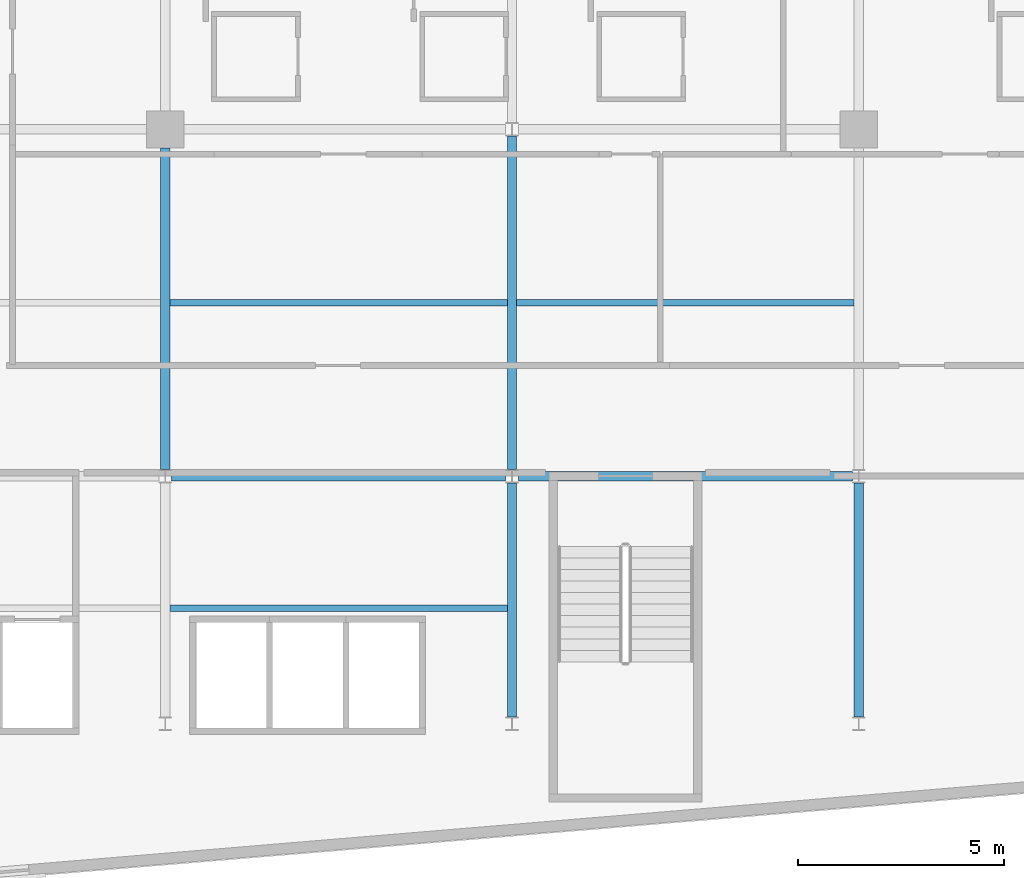
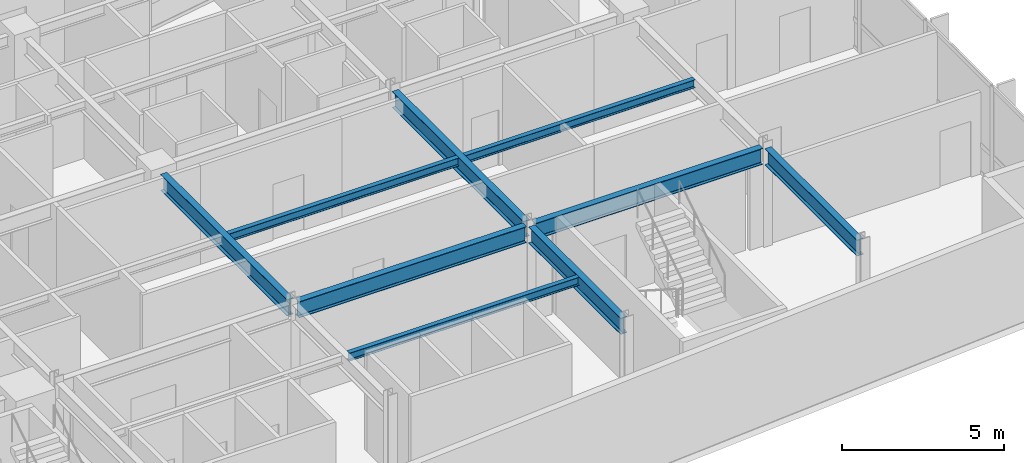
# One storey, part 4 of 22: 9 beams.
"""IFC4 building model written with IfcOpenShell, lengths in metres."""

from ifc_helpers import new_model, si_unit, direction, frame, origin, origin_2d, place, context, subcontext, project, spatial, i_section, extrude, material, material_profile, profile_set, type_object, element, save


model = new_model("IFC4")

# Units and contexts
model_context = context("Model", 3, precision=1e-05, world=origin(), true_north=direction((0.0, 1.0)))
body_context = subcontext(model_context, "Body", "Model", "MODEL_VIEW")
ifc_project = project(units=[si_unit("LENGTHUNIT", "METRE"), si_unit("AREAUNIT", "SQUARE_METRE"), si_unit("VOLUMEUNIT", "CUBIC_METRE"), si_unit("PLANEANGLEUNIT", "RADIAN"), si_unit("MASSUNIT", "GRAM", prefix="KILO")], contexts=[model_context])

# Site, building, storey
site_placement = place(None, origin())
site = spatial("IfcSite", under=ifc_project, at=site_placement, CompositionType="ELEMENT")
building_placement = place(site_placement, origin())
building = spatial("IfcBuilding", under=site, at=building_placement, Name="Varnakote Quay Hospital", CompositionType="ELEMENT")
storey_placement = place(building_placement, frame((0.0, 0.0, 65.949951171875)))
storey = spatial("IfcBuildingStorey", under=building, at=storey_placement, Name="L16", CompositionType="ELEMENT", Elevation=65.949951171875)

# Beams
ifc_material_1 = material(Name="Structural steel AS/NZS 3679.1 Grade 350 L0 (fy 340 MPa)", Category="steel")
ifc_material_profile_1 = material_profile(ifc_material_1, i_section(OverallWidth=0.22900390625, OverallDepth=0.612060546875, WebThickness=0.011962890625, FlangeThickness=0.01953125, FilletRadius=0.013916015625, at=origin_2d()), Name="610UB125")
ifc_profile_set_1 = profile_set([ifc_material_profile_1], Name="Structural steel AS/NZS 3679.1 Grade 350 L0 (fy 340 MPa)")
beam_type_1 = type_object("IfcBeamType", Name="BM-STL-610UB125", PredefinedType="BEAM", material=ifc_profile_set_1)
for number, where, z_axis, x_axis, name in (
    (1, (33.755615234375, 12.0, 3.404052734375), (1.0, 0.0, 0.0), (0.0, 1.0, 0.0), "L16 Primary Floor Beam"),
    (2, (42.155517578125, 12.0, 3.404052734375), (1.0, 0.0, 0.0), (0.0, 1.0, 0.0), "L16 Primary Floor Beam"),
):
    element("IfcBeam", number, at=place(storey_placement, frame(where, z_axis=z_axis, x_axis=x_axis)), inside=storey, type_object=beam_type_1, Name=name, PredefinedType="BEAM", context=body_context, shape_type="SweptSolid", body=[
        extrude(i_section(OverallWidth=0.22900390625, OverallDepth=0.612060546875, WebThickness=0.011962890625, FlangeThickness=0.01953125, FilletRadius=0.013916015625, at=origin_2d()), origin(), (0.0, 0.0, 1.0), 8.0888671875),
    ])
beam_1_placement = place(storey_placement, frame((33.60009765625, 12.16357421875, 3.404052734375), z_axis=(0.0, 1.0, 0.0), x_axis=(-1.0, 0.0, 0.0)))
element("IfcBeam", 3, at=beam_1_placement, inside=storey, type_object=beam_type_1, Name="L16 Primary Tie Beam", PredefinedType="BEAM", context=body_context, shape_type="SweptSolid", body=[
    extrude(i_section(OverallWidth=0.22900390625, OverallDepth=0.612060546875, WebThickness=0.011962890625, FlangeThickness=0.01953125, FilletRadius=0.013916015625, at=origin_2d()), origin(), (0.0, 0.0, 1.0), 7.786376953125),
])
beam_2_placement = place(storey_placement, frame((42.0, 6.16357421875, 3.404052734375), z_axis=(0.0, 1.0, 0.0), x_axis=(-1.0, 0.0, 0.0)))
element("IfcBeam", 4, at=beam_2_placement, inside=storey, type_object=beam_type_1, Name="L16 Primary Tie Beam", PredefinedType="BEAM", context=body_context, shape_type="SweptSolid", body=[
    extrude(i_section(OverallWidth=0.22900390625, OverallDepth=0.612060546875, WebThickness=0.011962890625, FlangeThickness=0.01953125, FilletRadius=0.013916015625, at=origin_2d()), origin(), (0.0, 0.0, 1.0), 5.6728515625),
])
beam_3_placement = place(storey_placement, frame((42.0, 12.16357421875, 3.404052734375), z_axis=(0.0, 1.0, 0.0), x_axis=(-1.0, 0.0, 0.0)))
element("IfcBeam", 5, at=beam_3_placement, inside=storey, type_object=beam_type_1, Name="L16 Primary Tie Beam", PredefinedType="BEAM", context=body_context, shape_type="SweptSolid", body=[
    extrude(i_section(OverallWidth=0.22900390625, OverallDepth=0.612060546875, WebThickness=0.011962890625, FlangeThickness=0.01953125, FilletRadius=0.013916015625, at=origin_2d()), origin(), (0.0, 0.0, 1.0), 8.072998046875),
])
beam_4_placement = place(storey_placement, frame((50.39990234375, 6.16357421875, 3.404052734375), z_axis=(0.0, 1.0, 0.0), x_axis=(-1.0, 0.0, 0.0)))
element("IfcBeam", 6, at=beam_4_placement, inside=storey, type_object=beam_type_1, Name="L16 Primary Tie Beam", PredefinedType="BEAM", context=body_context, shape_type="SweptSolid", body=[
    extrude(i_section(OverallWidth=0.22900390625, OverallDepth=0.612060546875, WebThickness=0.011962890625, FlangeThickness=0.01953125, FilletRadius=0.013916015625, at=origin_2d()), origin(), (0.0, 0.0, 1.0), 5.6728515625),
])
ifc_material_2 = material(Name="Structural steel AS/NZS 3679.1 Grade 350 L0 (fy 340 MPa)", Category="steel")
ifc_material_profile_2 = material_profile(ifc_material_2, i_section(OverallWidth=0.166015625, OverallDepth=0.306884765625, WebThickness=0.006591796875, FlangeThickness=0.01171875, FilletRadius=0.011474609375, at=origin_2d()), Name="310UB46.2")
ifc_profile_set_2 = profile_set([ifc_material_profile_2], Name="Structural steel AS/NZS 3679.1 Grade 350 L0 (fy 340 MPa)")
beam_type_2 = type_object("IfcBeamType", Name="JST-STL-310UB46-2", PredefinedType="JOIST", material=ifc_profile_set_2)
for number, where, z_axis, x_axis, name in (
    (7, (33.714599609375, 8.800048828125, 3.556640625), (1.0, 0.0, 0.0), (0.0, 1.0, 0.0), "L16 Composite Floor Joist"),
    (8, (33.714599609375, 16.199951171875, 3.556640625), (1.0, 0.0, 0.0), (0.0, 1.0, 0.0), "L16 Composite Floor Joist"),
    (9, (42.114501953125, 16.199951171875, 3.556640625), (1.0, 0.0, 0.0), (0.0, 1.0, 0.0), "L16 Composite Floor Joist"),
):
    element("IfcBeam", number, at=place(storey_placement, frame(where, z_axis=z_axis, x_axis=x_axis)), inside=storey, type_object=beam_type_2, Name=name, PredefinedType="JOIST", context=body_context, shape_type="SweptSolid", body=[
        extrude(i_section(OverallWidth=0.166015625, OverallDepth=0.306884765625, WebThickness=0.006591796875, FlangeThickness=0.01171875, FilletRadius=0.011474609375, at=origin_2d()), origin(), (0.0, 0.0, 1.0), 8.1708984375),
    ])

save(model, "model.ifc")
